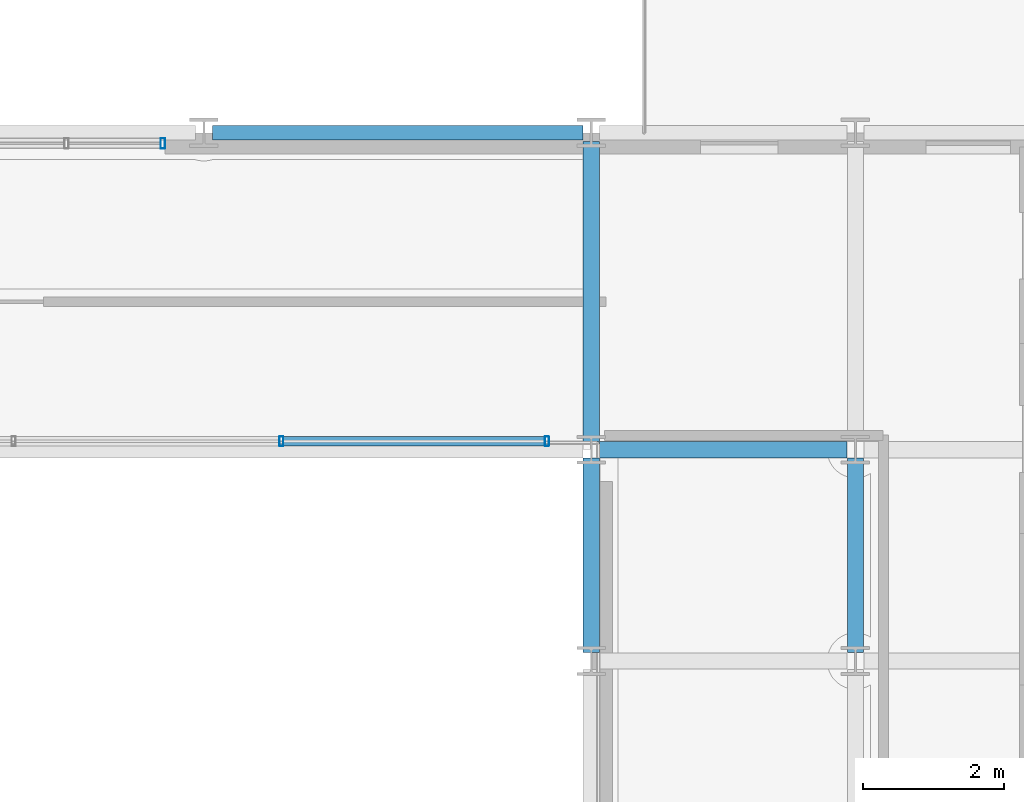
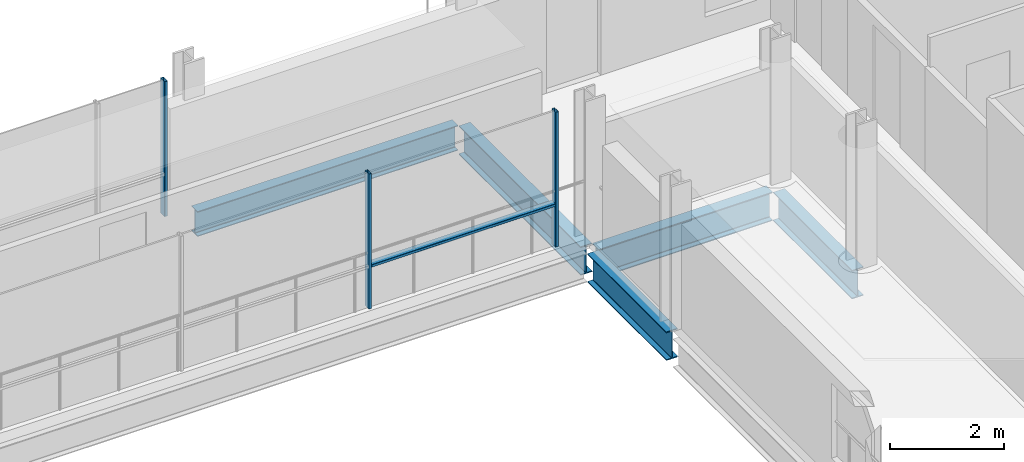
# One storey, part 19 of 40: 5 beams, 4 members, 2 elements without a shape of their own.
"""IFC4 building model written with IfcOpenShell, lengths in metres."""

from ifc_helpers import new_model, si_unit, direction, frame, origin, origin_2d, place, context, subcontext, project, spatial, hollow_rectangle, i_section, extrude, material, layer, layer_set, material_profile, profile_set, type_object, element, aggregate, save


model = new_model("IFC4")

# Units and contexts
model_context = context("Model", 3, precision=1e-05, world=origin(), true_north=direction((0.0, 1.0)))
body_context = subcontext(model_context, "Body", "Model", "MODEL_VIEW")
ifc_project = project(units=[si_unit("LENGTHUNIT", "METRE"), si_unit("AREAUNIT", "SQUARE_METRE"), si_unit("VOLUMEUNIT", "CUBIC_METRE"), si_unit("PLANEANGLEUNIT", "RADIAN"), si_unit("MASSUNIT", "GRAM", prefix="KILO")], contexts=[model_context])

# Site, building, storey
site_placement = place(None, origin())
site = spatial("IfcSite", under=ifc_project, at=site_placement, CompositionType="ELEMENT")
building_placement = place(site_placement, origin())
building = spatial("IfcBuilding", under=site, at=building_placement, Name="Brevholm Reach", CompositionType="ELEMENT")
storey_placement = place(building_placement, frame((0.0, 0.0, 148.0)))
storey = spatial("IfcBuildingStorey", under=building, at=storey_placement, Name="L44", CompositionType="ELEMENT", Elevation=148.0)

# Beams
ifc_material_1 = material(Name="Structural Steel S355J2", Category="steel")
ifc_material_profile_1 = material_profile(ifc_material_1, i_section(OverallWidth=0.209228515625, OverallDepth=0.533203125, WebThickness=0.010009765625, FlangeThickness=0.015625, FilletRadius=0.0126953125, at=origin_2d()), Name="UKB 533x210x92")
ifc_profile_set_1 = profile_set([ifc_material_profile_1], Name="Structural Steel S355J2")
beam_type_1 = type_object("IfcBeamType", Name="BM-SP533", PredefinedType="SPANDREL", material=ifc_profile_set_1)
beam_1_placement = place(storey_placement, frame((32.8701171875, 31.0, -0.486572265625), z_axis=(1.0, 0.0, 0.0), x_axis=(0.0, 1.0, 0.0)))
element("IfcBeam", 1, at=beam_1_placement, inside=storey, type_object=beam_type_1, Name="L44 SP-02 Framing Beam", PredefinedType="SPANDREL", context=body_context, shape_type="SweptSolid", body=[
    extrude(i_section(OverallWidth=0.209228515625, OverallDepth=0.533203125, WebThickness=0.010009765625, FlangeThickness=0.015625, FilletRadius=0.0126953125, at=origin_2d()), origin(), (0.0, 0.0, 1.0), 5.259765625),
])
ifc_material_2 = material(Name="Structural Steel S355J2", Category="steel")
ifc_material_profile_2 = material_profile(ifc_material_2, i_section(OverallWidth=0.22900390625, OverallDepth=0.6123046875, WebThickness=0.011962890625, FlangeThickness=0.01953125, FilletRadius=0.0126953125, at=origin_2d()), Name="UKB 610x229x125")
ifc_profile_set_2 = profile_set([ifc_material_profile_2], Name="Structural Steel S355J2")
beam_type_2 = type_object("IfcBeamType", Name="BM-SP610", PredefinedType="SPANDREL", material=ifc_profile_set_2)
beam_2_placement = place(storey_placement, frame((38.3701171875, 26.5, -0.526123046875), z_axis=(1.0, 0.0, 0.0), x_axis=(0.0, 1.0, 0.0)))
element("IfcBeam", 2, at=beam_2_placement, inside=storey, type_object=beam_type_2, Name="L44 SP-01 Framing Beam", PredefinedType="SPANDREL", context=body_context, shape_type="SweptSolid", body=[
    extrude(i_section(OverallWidth=0.22900390625, OverallDepth=0.6123046875, WebThickness=0.011962890625, FlangeThickness=0.01953125, FilletRadius=0.0126953125, at=origin_2d()), origin(), (0.0, 0.0, 1.0), 3.509765625),
])
beam_3_placement = place(storey_placement, frame((38.25, 23.6201171875, -0.526123046875), z_axis=(0.0, 1.0, 0.0), x_axis=(-1.0, 0.0, 0.0)))
element("IfcBeam", 3, at=beam_3_placement, inside=storey, type_object=beam_type_2, Name="L44 SP-01 Framing Beam", PredefinedType="SPANDREL", context=body_context, shape_type="SweptSolid", body=[
    extrude(i_section(OverallWidth=0.22900390625, OverallDepth=0.6123046875, WebThickness=0.011962890625, FlangeThickness=0.01953125, FilletRadius=0.0126953125, at=origin_2d()), origin(), (0.0, 0.0, 1.0), 2.759765625),
])
beam_4_placement = place(storey_placement, frame((38.25, 26.6201171875, -0.526123046875), z_axis=(0.0, 1.0, 0.0), x_axis=(-1.0, 0.0, 0.0)))
element("IfcBeam", 4, at=beam_4_placement, inside=storey, type_object=beam_type_2, Name="L44 SP-01 Framing Beam", PredefinedType="SPANDREL", context=body_context, shape_type="SweptSolid", body=[
    extrude(i_section(OverallWidth=0.22900390625, OverallDepth=0.6123046875, WebThickness=0.011962890625, FlangeThickness=0.01953125, FilletRadius=0.0126953125, at=origin_2d()), origin(), (0.0, 0.0, 1.0), 4.259765625),
])
beam_5_placement = place(storey_placement, frame((42.0, 23.6201171875, -0.526123046875), z_axis=(0.0, 1.0, 0.0), x_axis=(-1.0, 0.0, 0.0)))
element("IfcBeam", 5, at=beam_5_placement, inside=storey, type_object=beam_type_2, Name="L44 SP-01 Framing Beam", PredefinedType="SPANDREL", context=body_context, shape_type="SweptSolid", body=[
    extrude(i_section(OverallWidth=0.22900390625, OverallDepth=0.6123046875, WebThickness=0.011962890625, FlangeThickness=0.01953125, FilletRadius=0.0126953125, at=origin_2d()), origin(), (0.0, 0.0, 1.0), 2.759765625),
])

# Curtain wall, members
ifc_material_3 = material(Name="Dark Anodised Aluminium 6063-T6 and Solar-Control Glass", Category="aluminium")
ifc_layer_1 = layer(ifc_material_3, 0.139892578125)
ifc_layer_set_1 = layer_set([ifc_layer_1], Name="Dark Anodised Aluminium 6063-T6 and Solar-Control Glass")
curtain_wall_type_1 = type_object("IfcCurtainWallType", Name="CW-02", PredefinedType="NOTDEFINED", material=ifc_layer_set_1)
curtain_wall_1_placement = place(storey_placement, origin())
curtain_wall_1 = element("IfcCurtainWall", 6, at=curtain_wall_1_placement, inside=storey, type_object=curtain_wall_type_1, Name="L44 Curtain Wall CW-02", PredefinedType="NOTDEFINED")
ifc_material_4 = material(Name="Dark Anodised Aluminium 6063-T6", Category="aluminium")
ifc_material_profile_3 = material_profile(ifc_material_4, hollow_rectangle(XDim=0.06005859375, YDim=0.139892578125, WallThickness=0.0048828125, InnerFilletRadius=0.0048828125, OuterFilletRadius=0.010009765625, at=origin_2d()), Name="RHS 140x60x5")
ifc_profile_set_3 = profile_set([ifc_material_profile_3], Name="Dark Anodised Aluminium 6063-T6")
member_type_1 = type_object("IfcMemberType", Name="CWM-140", PredefinedType="MULLION", material=ifc_profile_set_3)
member_1_placement = place(storey_placement, frame((37.6201171875, 26.6201171875, 0.0), z_axis=(0.0, 0.0, 1.0), x_axis=(-1.0, 0.0, 0.0)))
member_1 = element("IfcMember", 7, at=member_1_placement, type_object=member_type_1, Name="CM-140 Mullion 1", PredefinedType="MULLION", context=body_context, shape_type="SweptSolid", body=[
    extrude(hollow_rectangle(XDim=0.06005859375, YDim=0.139892578125, WallThickness=0.0048828125, InnerFilletRadius=0.0048828125, OuterFilletRadius=0.010009765625, at=origin_2d()), origin(), (0.0, 0.0, 1.0), 2.8798828125),
])
member_2_placement = place(storey_placement, frame((33.85009765625, 26.6201171875, 0.0), z_axis=(0.0, 0.0, 1.0), x_axis=(-1.0, 0.0, 0.0)))
member_2 = element("IfcMember", 8, at=member_2_placement, type_object=member_type_1, Name="CM-140 Mullion 2", PredefinedType="MULLION", context=body_context, shape_type="SweptSolid", body=[
    extrude(hollow_rectangle(XDim=0.06005859375, YDim=0.139892578125, WallThickness=0.0048828125, InnerFilletRadius=0.0048828125, OuterFilletRadius=0.010009765625, at=origin_2d()), origin(), (0.0, 0.0, 1.0), 2.8798828125),
])

# Curtain wall, member
ifc_material_5 = material(Name="Dark Anodised Aluminium 6063-T6 and Solar-Control Glass", Category="aluminium")
ifc_layer_2 = layer(ifc_material_5, 0.14990234375)
ifc_layer_set_2 = layer_set([ifc_layer_2], Name="Dark Anodised Aluminium 6063-T6 and Solar-Control Glass")
curtain_wall_type_2 = type_object("IfcCurtainWallType", Name="CW-01", PredefinedType="NOTDEFINED", material=ifc_layer_set_2)
curtain_wall_2_placement = place(storey_placement, origin())
curtain_wall_2 = element("IfcCurtainWall", 9, at=curtain_wall_2_placement, inside=storey, type_object=curtain_wall_type_2, Name="L44 Curtain Wall CW-01", PredefinedType="NOTDEFINED")
ifc_material_6 = material(Name="Dark Anodised Aluminium 6063-T6", Category="aluminium")
ifc_material_profile_4 = material_profile(ifc_material_6, hollow_rectangle(XDim=0.06494140625, YDim=0.14990234375, WallThickness=0.0048828125, InnerFilletRadius=0.0048828125, OuterFilletRadius=0.010009765625, at=origin_2d()), Name="RHS 150x65x5")
ifc_profile_set_4 = profile_set([ifc_material_profile_4], Name="Dark Anodised Aluminium 6063-T6")
member_type_2 = type_object("IfcMemberType", Name="CWM-150", PredefinedType="MULLION", material=ifc_profile_set_4)
member_3_placement = place(storey_placement, frame((32.16748046875, 30.85009765625, 0.0), z_axis=(0.0, 0.0, 1.0), x_axis=(1.0, 0.0, 0.0)))
member_3 = element("IfcMember", 10, at=member_3_placement, type_object=member_type_2, Name="CM-150 Mullion 3", PredefinedType="MULLION", context=body_context, shape_type="SweptSolid", body=[
    extrude(hollow_rectangle(XDim=0.06494140625, YDim=0.14990234375, WallThickness=0.0048828125, InnerFilletRadius=0.0048828125, OuterFilletRadius=0.010009765625, at=origin_2d()), origin(), (0.0, 0.0, 1.0), 2.8798828125),
])
aggregate(curtain_wall_2, [member_3])

# Member
ifc_material_7 = material(Name="Dark Anodised Aluminium 6063-T6", Category="aluminium")
ifc_material_profile_5 = material_profile(ifc_material_7, hollow_rectangle(XDim=0.06005859375, YDim=0.139892578125, WallThickness=0.0048828125, InnerFilletRadius=0.0048828125, OuterFilletRadius=0.010009765625, at=origin_2d()), Name="RHS 140x60x5")
ifc_profile_set_5 = profile_set([ifc_material_profile_5], Name="Dark Anodised Aluminium 6063-T6")
member_type_3 = type_object("IfcMemberType", Name="CWT-140", PredefinedType="NOTDEFINED", material=ifc_profile_set_5)
member_4_placement = place(storey_placement, frame((37.590087890625, 26.6201171875, 0.89990234375), z_axis=(-1.0, 0.0, 0.0), x_axis=(0.0, 0.0, 1.0)))
member_4 = element("IfcMember", 11, at=member_4_placement, type_object=member_type_3, Name="CT-140 Transom 1.1", ObjectType="TRANSOM", PredefinedType="USERDEFINED", context=body_context, shape_type="SweptSolid", body=[
    extrude(hollow_rectangle(XDim=0.06005859375, YDim=0.139892578125, WallThickness=0.0048828125, InnerFilletRadius=0.0048828125, OuterFilletRadius=0.010009765625, at=origin_2d()), origin(), (0.0, 0.0, 1.0), 3.710205078125),
])

aggregate(curtain_wall_1, [member_1, member_2, member_4])

save(model, "model.ifc")
